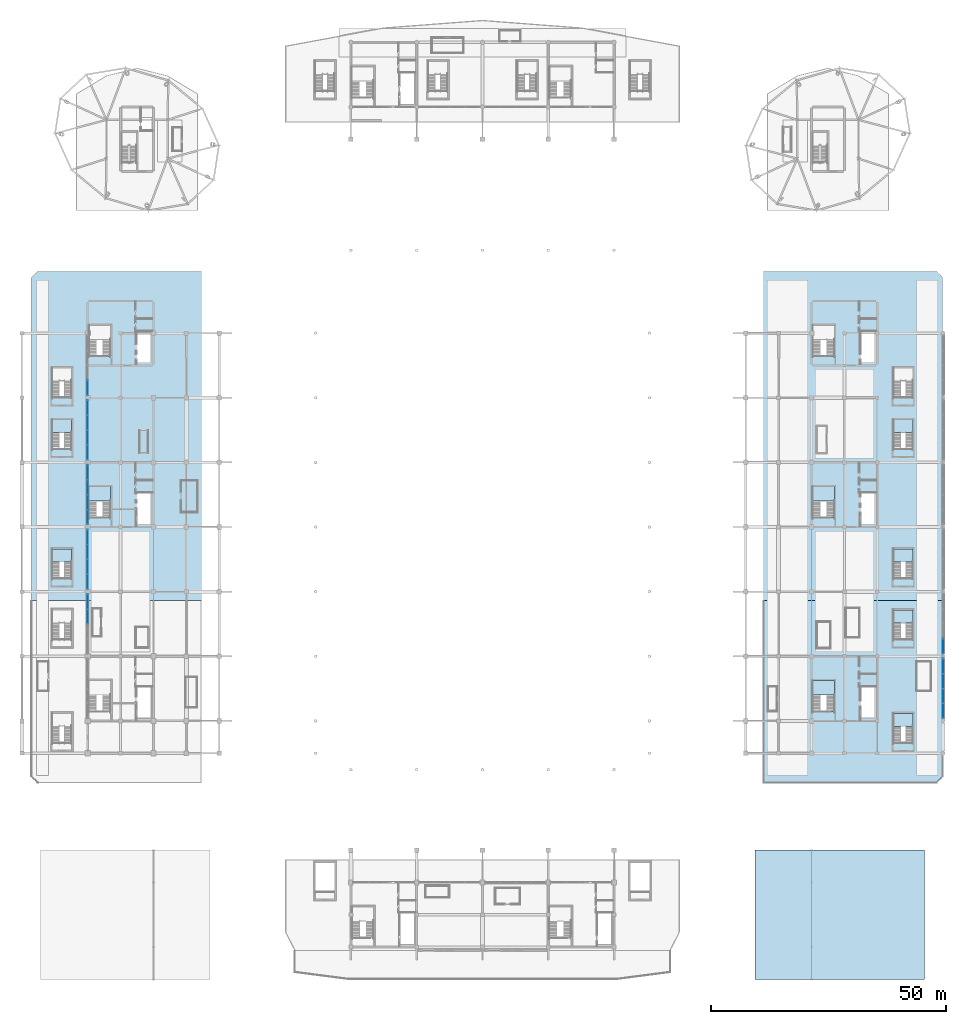
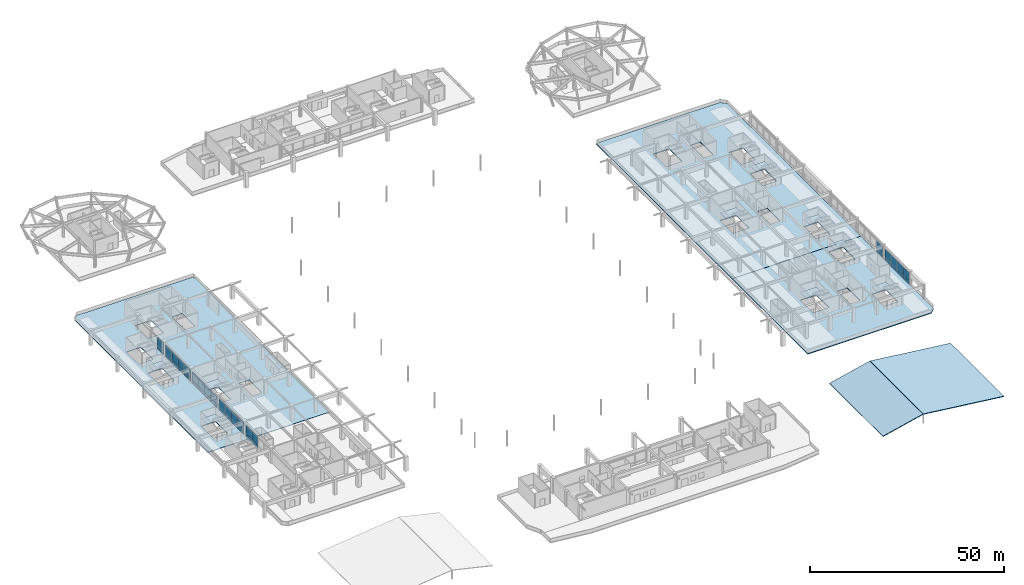
# One storey, part 50 of 91: 40 plates, 14 slabs, 16 elements without a shape of their own.
"""IFC4 building model written with IfcOpenShell, lengths in metres."""

from ifc_helpers import new_model, si_unit, direction, frame, origin, origin_2d, place, context, subcontext, project, spatial, polyline, rectangle, outline, extrude, material, layer, layer_set, type_object, element, aggregate, save


model = new_model("IFC4")

# Units and contexts
model_context = context("Model", 3, precision=1e-05, world=origin(), true_north=direction((0.0, 1.0)))
body_context = subcontext(model_context, "Body", "Model", "MODEL_VIEW")
ifc_project = project(units=[si_unit("LENGTHUNIT", "METRE"), si_unit("AREAUNIT", "SQUARE_METRE"), si_unit("VOLUMEUNIT", "CUBIC_METRE"), si_unit("PLANEANGLEUNIT", "RADIAN"), si_unit("MASSUNIT", "GRAM", prefix="KILO")], contexts=[model_context])

# Site, building, storey
site_placement = place(None, origin())
site = spatial("IfcSite", under=ifc_project, at=site_placement, CompositionType="ELEMENT")
building_placement = place(site_placement, origin())
building = spatial("IfcBuilding", under=site, at=building_placement, Name="Linyun Crest Stadium", CompositionType="ELEMENT")
storey_placement = place(building_placement, frame((0.0, 0.0, 11.39990234375)))
storey = spatial("IfcBuildingStorey", under=building, at=storey_placement, Name="L03", CompositionType="ELEMENT", Elevation=11.39990234375)

# Slabs
ifc_material_1 = material(Name="Concrete C40", Category="concrete")
ifc_layer_1 = layer(ifc_material_1, 0.199951171875)
ifc_layer_set_1 = layer_set([ifc_layer_1], Name="Concrete C40")
slab_type_1 = type_object("IfcSlabType", Name="FS02", PredefinedType="FLOOR", material=ifc_layer_set_1)
slab_1_placement = place(storey_placement, frame((0.0, 0.0, -0.199951171875)))
element("IfcSlab", 1, at=slab_1_placement, inside=storey, type_object=slab_type_1, Name="Slab FS02 V1 L03 7", PredefinedType="FLOOR", context=body_context, shape_type="SweptSolid", body=[
    extrude(outline(polyline([(-96.0, -13.489990234375), (-59.800048828125, -13.489990234375), (-59.800048828125, 56.5849609375), (-94.60009765625, 56.5849609375), (-96.0, 55.18505859375), (-96.0, -13.489990234375)]), holes=[polyline([(-83.800048828125, 4.14501953125), (-83.800048828125, 10.72509765625), (-79.10009765625, 10.72509765625), (-79.10009765625, 4.14501953125), (-83.800048828125, 4.14501953125)]), polyline([(-73.60009765625, 2.77490234375), (-73.60009765625, 9.375), (-70.60009765625, 9.375), (-70.60009765625, 2.77490234375), (-73.60009765625, 2.77490234375)]), polyline([(-83.77490234375, 38.52001953125), (-83.77490234375, 45.10009765625), (-79.10009765625, 45.10009765625), (-79.10009765625, 38.52001953125), (-83.77490234375, 38.52001953125)]), polyline([(-73.60009765625, 37.14990234375), (-73.60009765625, 43.75), (-70.60009765625, 43.75), (-70.60009765625, 37.14990234375), (-73.60009765625, 37.14990234375)]), polyline([(-91.60009765625, -8.75), (-91.60009765625, -2.5), (-87.39990234375, -2.5), (-87.39990234375, -8.75), (-91.60009765625, -8.75)]), polyline([(-91.60009765625, 18.75), (-91.60009765625, 25.0), (-87.39990234375, 25.0), (-87.39990234375, 18.75), (-91.60009765625, 18.75)]), polyline([(-91.60009765625, 29.75), (-91.60009765625, 36.0), (-87.39990234375, 36.0), (-87.39990234375, 29.75), (-91.60009765625, 29.75)])]), origin(), (0.0, 0.0, 1.0), 0.199951171875),
])
ifc_material_2 = material(Name="Concrete C40", Category="concrete")
ifc_layer_2 = layer(ifc_material_2, 0.25)
ifc_layer_set_2 = layer_set([ifc_layer_2], Name="Concrete C40")
slab_type_2 = type_object("IfcSlabType", Name="FS04", PredefinedType="FLOOR", material=ifc_layer_set_2)
slab_2_placement = place(storey_placement, frame((0.0, 0.0, -0.25)))
element("IfcSlab", 2, at=slab_2_placement, inside=storey, type_object=slab_type_2, Name="Slab FS04 V2 L03 22", PredefinedType="FLOOR", context=body_context, shape_type="SweptSolid", body=[
    extrude(outline(polyline([(59.800048828125, -52.3349609375), (96.60009765625, -52.3349609375), (98.0, -50.93505859375), (98.0, -13.510009765625), (59.800048828125, -13.510009765625), (59.800048828125, -52.3349609375)]), holes=[polyline([(70.175048828125, -37.10498046875), (70.175048828125, -30.52490234375), (74.89990234375, -30.52490234375), (74.89990234375, -37.10498046875), (70.175048828125, -37.10498046875)]), polyline([(80.39990234375, -38.47509765625), (80.39990234375, -31.875), (83.39990234375, -31.875), (83.39990234375, -38.47509765625), (80.39990234375, -38.47509765625)]), polyline([(87.39990234375, -43.75), (87.39990234375, -37.5), (91.60009765625, -37.5), (91.60009765625, -43.75), (87.39990234375, -43.75)]), polyline([(87.39990234375, -21.75), (87.39990234375, -15.5), (91.60009765625, -15.5), (91.60009765625, -21.75), (87.39990234375, -21.75)])]), origin(), (0.0, 0.0, 1.0), 0.25),
])
slab_3_placement = place(storey_placement, frame((0.0, 0.0, -0.25)))
element("IfcSlab", 3, at=slab_3_placement, inside=storey, type_object=slab_type_2, Name="Slab FS04 V2 L03 23", PredefinedType="FLOOR", context=body_context, shape_type="SweptSolid", body=[
    extrude(outline(polyline([(59.800048828125, -13.489990234375), (98.0, -13.489990234375), (98.0, 55.18505859375), (96.60009765625, 56.5849609375), (59.800048828125, 56.5849609375), (59.800048828125, -13.489990234375)]), holes=[polyline([(70.199951171875, 4.14501953125), (70.199951171875, 10.72509765625), (74.89990234375, 10.72509765625), (74.89990234375, 4.14501953125), (70.199951171875, 4.14501953125)]), polyline([(80.39990234375, 2.77490234375), (80.39990234375, 9.375), (83.39990234375, 9.375), (83.39990234375, 2.77490234375), (80.39990234375, 2.77490234375)]), polyline([(70.22509765625, 38.52001953125), (70.22509765625, 45.10009765625), (74.89990234375, 45.10009765625), (74.89990234375, 38.52001953125), (70.22509765625, 38.52001953125)]), polyline([(80.39990234375, 37.14990234375), (80.39990234375, 43.75), (83.39990234375, 43.75), (83.39990234375, 37.14990234375), (80.39990234375, 37.14990234375)]), polyline([(87.39990234375, -8.75), (87.39990234375, -2.5), (91.60009765625, -2.5), (91.60009765625, -8.75), (87.39990234375, -8.75)]), polyline([(87.39990234375, 18.75), (87.39990234375, 25.0), (91.60009765625, 25.0), (91.60009765625, 18.75), (87.39990234375, 18.75)]), polyline([(87.39990234375, 29.75), (87.39990234375, 36.0), (91.60009765625, 36.0), (91.60009765625, 29.75), (87.39990234375, 29.75)])]), origin(), (0.0, 0.0, 1.0), 0.25),
])

# Curtain wall, plates
ifc_material_3 = material(Name="Verdigris steel and low-E curtain wall assembly", Category="steel")
curtain_wall_type = type_object("IfcCurtainWallType", Name="MCW02", PredefinedType="NOTDEFINED", material=ifc_material_3)
curtain_wall_1_placement = place(storey_placement, origin())
curtain_wall_1 = element("IfcCurtainWall", 4, at=curtain_wall_1_placement, inside=storey, type_object=curtain_wall_type, Name="CWR-079", PredefinedType="NOTDEFINED")
ifc_material_4 = material(Name="Tempered solar-control low-E glass", Category="glass")
ifc_layer_3 = layer(ifc_material_4, 0.033935546875)
ifc_layer_set_3 = layer_set([ifc_layer_3], Name="Tempered solar-control low-E glass")
plate_type_1 = type_object("IfcPlateType", Name="GP03", PredefinedType="CURTAIN_PANEL", material=ifc_layer_set_3)
plate_1_placement = place(storey_placement, frame((98.0, -36.993896484375, 0.97509765625), z_axis=(0.0, 0.0, 1.0), x_axis=(0.0, 1.0, 0.0)))
plate_1 = element("IfcPlate", 5, at=plate_1_placement, type_object=plate_type_1, Name="CWR-079 panel 1.2", PredefinedType="CURTAIN_PANEL", context=body_context, shape_type="SweptSolid", body=[
    extrude(rectangle(XDim=3.112548828125, YDim=0.033935546875, at=origin_2d()), origin(), (0.0, 0.0, 1.0), 2.64990234375),
])
plate_2_placement = place(storey_placement, frame((98.0, -33.8310546875, 0.97509765625), z_axis=(0.0, 0.0, 1.0), x_axis=(0.0, 1.0, 0.0)))
plate_2 = element("IfcPlate", 6, at=plate_2_placement, type_object=plate_type_1, Name="CWR-079 panel 2.2", PredefinedType="CURTAIN_PANEL", context=body_context, shape_type="SweptSolid", body=[
    extrude(rectangle(XDim=3.112548828125, YDim=0.033935546875, at=origin_2d()), origin(), (0.0, 0.0, 1.0), 2.64990234375),
])
plate_3_placement = place(storey_placement, frame((98.0, -30.6689453125, 0.97509765625), z_axis=(0.0, 0.0, 1.0), x_axis=(0.0, 1.0, 0.0)))
plate_3 = element("IfcPlate", 7, at=plate_3_placement, type_object=plate_type_1, Name="CWR-079 panel 3.2", PredefinedType="CURTAIN_PANEL", context=body_context, shape_type="SweptSolid", body=[
    extrude(rectangle(XDim=3.112548828125, YDim=0.033935546875, at=origin_2d()), origin(), (0.0, 0.0, 1.0), 2.64990234375),
])
plate_4_placement = place(storey_placement, frame((98.0, -27.506103515625, 0.97509765625), z_axis=(0.0, 0.0, 1.0), x_axis=(0.0, 1.0, 0.0)))
plate_4 = element("IfcPlate", 8, at=plate_4_placement, type_object=plate_type_1, Name="CWR-079 panel 4.2", PredefinedType="CURTAIN_PANEL", context=body_context, shape_type="SweptSolid", body=[
    extrude(rectangle(XDim=3.112548828125, YDim=0.033935546875, at=origin_2d()), origin(), (0.0, 0.0, 1.0), 2.64990234375),
])

curtain_wall_2_placement = place(storey_placement, origin())
curtain_wall_2 = element("IfcCurtainWall", 9, at=curtain_wall_2_placement, inside=storey, type_object=curtain_wall_type, Name="CWR-083", PredefinedType="NOTDEFINED")
plate_5_placement = place(storey_placement, frame((-84.0, -16.9189453125, 0.97509765625), z_axis=(0.0, 0.0, 1.0), x_axis=(0.0, 1.0, 0.0)))
plate_5 = element("IfcPlate", 10, at=plate_5_placement, type_object=plate_type_1, Name="CWR-083 panel 3.2", PredefinedType="CURTAIN_PANEL", context=body_context, shape_type="SweptSolid", body=[
    extrude(rectangle(XDim=3.112548828125, YDim=0.033935546875, at=origin_2d()), origin(), (0.0, 0.0, 1.0), 2.64990234375),
])
plate_6_placement = place(storey_placement, frame((-84.0, -13.756103515625, 0.97509765625), z_axis=(0.0, 0.0, 1.0), x_axis=(0.0, 1.0, 0.0)))
plate_6 = element("IfcPlate", 11, at=plate_6_placement, type_object=plate_type_1, Name="CWR-083 panel 4.2", PredefinedType="CURTAIN_PANEL", context=body_context, shape_type="SweptSolid", body=[
    extrude(rectangle(XDim=3.112548828125, YDim=0.033935546875, at=origin_2d()), origin(), (0.0, 0.0, 1.0), 2.64990234375),
])

# Curtain wall, plate
curtain_wall_3_placement = place(storey_placement, origin())
curtain_wall_3 = element("IfcCurtainWall", 12, at=curtain_wall_3_placement, inside=storey, type_object=curtain_wall_type, Name="CWR-088", PredefinedType="NOTDEFINED")
plate_7_placement = place(storey_placement, frame((98.0, -23.243896484375, 0.97509765625), z_axis=(0.0, 0.0, 1.0), x_axis=(0.0, 1.0, 0.0)))
plate_7 = element("IfcPlate", 13, at=plate_7_placement, type_object=plate_type_1, Name="CWR-088 panel 1.2", PredefinedType="CURTAIN_PANEL", context=body_context, shape_type="SweptSolid", body=[
    extrude(rectangle(XDim=3.112548828125, YDim=0.033935546875, at=origin_2d()), origin(), (0.0, 0.0, 1.0), 2.64990234375),
])

# Curtain wall, plates
curtain_wall_4_placement = place(storey_placement, origin())
curtain_wall_4 = element("IfcCurtainWall", 14, at=curtain_wall_4_placement, inside=storey, type_object=curtain_wall_type, Name="CWR-092", PredefinedType="NOTDEFINED")
plate_8_placement = place(storey_placement, frame((-84.0, -9.493896484375, 0.97509765625), z_axis=(0.0, 0.0, 1.0), x_axis=(0.0, 1.0, 0.0)))
plate_8 = element("IfcPlate", 15, at=plate_8_placement, type_object=plate_type_1, Name="CWR-092 panel 1.2", PredefinedType="CURTAIN_PANEL", context=body_context, shape_type="SweptSolid", body=[
    extrude(rectangle(XDim=3.112548828125, YDim=0.033935546875, at=origin_2d()), origin(), (0.0, 0.0, 1.0), 2.64990234375),
])
plate_9_placement = place(storey_placement, frame((-84.0, -6.3310546875, 0.97509765625), z_axis=(0.0, 0.0, 1.0), x_axis=(0.0, 1.0, 0.0)))
plate_9 = element("IfcPlate", 16, at=plate_9_placement, type_object=plate_type_1, Name="CWR-092 panel 2.2", PredefinedType="CURTAIN_PANEL", context=body_context, shape_type="SweptSolid", body=[
    extrude(rectangle(XDim=3.112548828125, YDim=0.033935546875, at=origin_2d()), origin(), (0.0, 0.0, 1.0), 2.64990234375),
])
plate_10_placement = place(storey_placement, frame((-84.0, -3.1689453125, 0.97509765625), z_axis=(0.0, 0.0, 1.0), x_axis=(0.0, 1.0, 0.0)))
plate_10 = element("IfcPlate", 17, at=plate_10_placement, type_object=plate_type_1, Name="CWR-092 panel 3.2", PredefinedType="CURTAIN_PANEL", context=body_context, shape_type="SweptSolid", body=[
    extrude(rectangle(XDim=3.112548828125, YDim=0.033935546875, at=origin_2d()), origin(), (0.0, 0.0, 1.0), 2.64990234375),
])
plate_11_placement = place(storey_placement, frame((-84.0, -0.006103515625, 0.97509765625), z_axis=(0.0, 0.0, 1.0), x_axis=(0.0, 1.0, 0.0)))
plate_11 = element("IfcPlate", 18, at=plate_11_placement, type_object=plate_type_1, Name="CWR-092 panel 4.2", PredefinedType="CURTAIN_PANEL", context=body_context, shape_type="SweptSolid", body=[
    extrude(rectangle(XDim=3.112548828125, YDim=0.033935546875, at=origin_2d()), origin(), (0.0, 0.0, 1.0), 2.64990234375),
])

curtain_wall_5_placement = place(storey_placement, origin())
curtain_wall_5 = element("IfcCurtainWall", 19, at=curtain_wall_5_placement, inside=storey, type_object=curtain_wall_type, Name="CWR-101", PredefinedType="NOTDEFINED")
plate_12_placement = place(storey_placement, frame((-84.0, 4.256103515625, 0.97509765625), z_axis=(0.0, 0.0, 1.0), x_axis=(0.0, 1.0, 0.0)))
plate_12 = element("IfcPlate", 20, at=plate_12_placement, type_object=plate_type_1, Name="CWR-101 panel 1.2", PredefinedType="CURTAIN_PANEL", context=body_context, shape_type="SweptSolid", body=[
    extrude(rectangle(XDim=3.112548828125, YDim=0.033935546875, at=origin_2d()), origin(), (0.0, 0.0, 1.0), 2.64990234375),
])
plate_13_placement = place(storey_placement, frame((-84.0, 7.4189453125, 0.97509765625), z_axis=(0.0, 0.0, 1.0), x_axis=(0.0, 1.0, 0.0)))
plate_13 = element("IfcPlate", 21, at=plate_13_placement, type_object=plate_type_1, Name="CWR-101 panel 2.2", PredefinedType="CURTAIN_PANEL", context=body_context, shape_type="SweptSolid", body=[
    extrude(rectangle(XDim=3.112548828125, YDim=0.033935546875, at=origin_2d()), origin(), (0.0, 0.0, 1.0), 2.64990234375),
])
plate_14_placement = place(storey_placement, frame((-84.0, 10.5810546875, 0.97509765625), z_axis=(0.0, 0.0, 1.0), x_axis=(0.0, 1.0, 0.0)))
plate_14 = element("IfcPlate", 22, at=plate_14_placement, type_object=plate_type_1, Name="CWR-101 panel 3.2", PredefinedType="CURTAIN_PANEL", context=body_context, shape_type="SweptSolid", body=[
    extrude(rectangle(XDim=3.112548828125, YDim=0.033935546875, at=origin_2d()), origin(), (0.0, 0.0, 1.0), 2.64990234375),
])
plate_15_placement = place(storey_placement, frame((-84.0, 13.743896484375, 0.97509765625), z_axis=(0.0, 0.0, 1.0), x_axis=(0.0, 1.0, 0.0)))
plate_15 = element("IfcPlate", 23, at=plate_15_placement, type_object=plate_type_1, Name="CWR-101 panel 4.2", PredefinedType="CURTAIN_PANEL", context=body_context, shape_type="SweptSolid", body=[
    extrude(rectangle(XDim=3.112548828125, YDim=0.033935546875, at=origin_2d()), origin(), (0.0, 0.0, 1.0), 2.64990234375),
])

curtain_wall_6_placement = place(storey_placement, origin())
curtain_wall_6 = element("IfcCurtainWall", 24, at=curtain_wall_6_placement, inside=storey, type_object=curtain_wall_type, Name="CWR-110", PredefinedType="NOTDEFINED")
plate_16_placement = place(storey_placement, frame((-84.0, 18.006103515625, 0.97509765625), z_axis=(0.0, 0.0, 1.0), x_axis=(0.0, 1.0, 0.0)))
plate_16 = element("IfcPlate", 25, at=plate_16_placement, type_object=plate_type_1, Name="CWR-110 panel 1.2", PredefinedType="CURTAIN_PANEL", context=body_context, shape_type="SweptSolid", body=[
    extrude(rectangle(XDim=3.112548828125, YDim=0.033935546875, at=origin_2d()), origin(), (0.0, 0.0, 1.0), 2.64990234375),
])
plate_17_placement = place(storey_placement, frame((-84.0, 21.1689453125, 0.97509765625), z_axis=(0.0, 0.0, 1.0), x_axis=(0.0, 1.0, 0.0)))
plate_17 = element("IfcPlate", 26, at=plate_17_placement, type_object=plate_type_1, Name="CWR-110 panel 2.2", PredefinedType="CURTAIN_PANEL", context=body_context, shape_type="SweptSolid", body=[
    extrude(rectangle(XDim=3.112548828125, YDim=0.033935546875, at=origin_2d()), origin(), (0.0, 0.0, 1.0), 2.64990234375),
])
plate_18_placement = place(storey_placement, frame((-84.0, 24.3310546875, 0.97509765625), z_axis=(0.0, 0.0, 1.0), x_axis=(0.0, 1.0, 0.0)))
plate_18 = element("IfcPlate", 27, at=plate_18_placement, type_object=plate_type_1, Name="CWR-110 panel 3.2", PredefinedType="CURTAIN_PANEL", context=body_context, shape_type="SweptSolid", body=[
    extrude(rectangle(XDim=3.112548828125, YDim=0.033935546875, at=origin_2d()), origin(), (0.0, 0.0, 1.0), 2.64990234375),
])
plate_19_placement = place(storey_placement, frame((-84.0, 27.493896484375, 0.97509765625), z_axis=(0.0, 0.0, 1.0), x_axis=(0.0, 1.0, 0.0)))
plate_19 = element("IfcPlate", 28, at=plate_19_placement, type_object=plate_type_1, Name="CWR-110 panel 4.2", PredefinedType="CURTAIN_PANEL", context=body_context, shape_type="SweptSolid", body=[
    extrude(rectangle(XDim=3.112548828125, YDim=0.033935546875, at=origin_2d()), origin(), (0.0, 0.0, 1.0), 2.64990234375),
])

# Curtain wall, plate
curtain_wall_7_placement = place(storey_placement, origin())
curtain_wall_7 = element("IfcCurtainWall", 29, at=curtain_wall_7_placement, inside=storey, type_object=curtain_wall_type, Name="CWR-119", PredefinedType="NOTDEFINED")
plate_20_placement = place(storey_placement, frame((-84.0, 31.756103515625, 0.97509765625), z_axis=(0.0, 0.0, 1.0), x_axis=(0.0, 1.0, 0.0)))
plate_20 = element("IfcPlate", 30, at=plate_20_placement, type_object=plate_type_1, Name="CWR-119 panel 1.2", PredefinedType="CURTAIN_PANEL", context=body_context, shape_type="SweptSolid", body=[
    extrude(rectangle(XDim=3.112548828125, YDim=0.033935546875, at=origin_2d()), origin(), (0.0, 0.0, 1.0), 2.64990234375),
])

# Stair, slab
ifc_material_5 = material(Name="Concrete C40", Category="concrete")
stair_type = type_object("IfcStairType", Name="STA03", PredefinedType="HALF_TURN_STAIR", material=ifc_material_5)
stair_1_placement = place(storey_placement, origin())
stair_1 = element("IfcStair", 31, at=stair_1_placement, inside=storey, type_object=stair_type, Name="Evacuation stair STR-02-L03", PredefinedType="HALF_TURN_STAIR")
ifc_material_6 = material(Name="Concrete C40", Category="concrete")
ifc_layer_4 = layer(ifc_material_6, 0.179931640625)
ifc_layer_set_4 = layer_set([ifc_layer_4], Name="Concrete C40")
slab_type_3 = type_object("IfcSlabType", Name="LS01", PredefinedType="LANDING", material=ifc_layer_set_4)
slab_4_placement = place(storey_placement, frame((0.0, 0.0, 2.22021484375)))
slab_4 = element("IfcSlab", 32, at=slab_4_placement, type_object=slab_type_3, Name="STR-02-L03 half-landing", PredefinedType="LANDING", context=body_context, shape_type="SweptSolid", body=[
    extrude(outline(polyline([(-83.800048828125, 7.614990234375), (-79.10009765625, 7.614990234375), (-79.10009765625, 10.72509765625), (-83.800048828125, 10.72509765625), (-83.800048828125, 7.614990234375)])), origin(), (0.0, 0.0, 1.0), 0.179931640625),
])
aggregate(stair_1, [slab_4])

stair_2_placement = place(storey_placement, origin())
stair_2 = element("IfcStair", 33, at=stair_2_placement, inside=storey, type_object=stair_type, Name="Evacuation stair STR-04-L03", PredefinedType="HALF_TURN_STAIR")
slab_5_placement = place(storey_placement, frame((0.0, 0.0, 2.22021484375)))
slab_5 = element("IfcSlab", 34, at=slab_5_placement, type_object=slab_type_3, Name="STR-04-L03 half-landing", PredefinedType="LANDING", context=body_context, shape_type="SweptSolid", body=[
    extrude(outline(polyline([(70.175048828125, -33.635009765625), (74.89990234375, -33.635009765625), (74.89990234375, -30.52490234375), (70.175048828125, -30.52490234375), (70.175048828125, -33.635009765625)])), origin(), (0.0, 0.0, 1.0), 0.179931640625),
])
aggregate(stair_2, [slab_5])

stair_3_placement = place(storey_placement, origin())
stair_3 = element("IfcStair", 35, at=stair_3_placement, inside=storey, type_object=stair_type, Name="Evacuation stair STR-05-L03", PredefinedType="HALF_TURN_STAIR")
slab_6_placement = place(storey_placement, frame((0.0, 0.0, 2.22021484375)))
slab_6 = element("IfcSlab", 36, at=slab_6_placement, type_object=slab_type_3, Name="STR-05-L03 half-landing", PredefinedType="LANDING", context=body_context, shape_type="SweptSolid", body=[
    extrude(outline(polyline([(70.199951171875, 7.614990234375), (74.89990234375, 7.614990234375), (74.89990234375, 10.72509765625), (70.199951171875, 10.72509765625), (70.199951171875, 7.614990234375)])), origin(), (0.0, 0.0, 1.0), 0.179931640625),
])
aggregate(stair_3, [slab_6])

stair_4_placement = place(storey_placement, origin())
stair_4 = element("IfcStair", 37, at=stair_4_placement, inside=storey, type_object=stair_type, Name="Vomitory evacuation stair STR-15-L03", PredefinedType="HALF_TURN_STAIR")
slab_7_placement = place(storey_placement, frame((0.0, 0.0, 2.22021484375)))
slab_7 = element("IfcSlab", 38, at=slab_7_placement, type_object=slab_type_3, Name="STR-15-L03 half-landing", PredefinedType="LANDING", context=body_context, shape_type="SweptSolid", body=[
    extrude(outline(polyline([(-91.60009765625, -5.280029296875), (-87.39990234375, -5.280029296875), (-87.39990234375, -2.5), (-91.60009765625, -2.5), (-91.60009765625, -5.280029296875)])), origin(), (0.0, 0.0, 1.0), 0.179931640625),
])
aggregate(stair_4, [slab_7])

stair_5_placement = place(storey_placement, origin())
stair_5 = element("IfcStair", 39, at=stair_5_placement, inside=storey, type_object=stair_type, Name="Vomitory evacuation stair STR-16-L03", PredefinedType="HALF_TURN_STAIR")
slab_8_placement = place(storey_placement, frame((0.0, 0.0, 2.22021484375)))
slab_8 = element("IfcSlab", 40, at=slab_8_placement, type_object=slab_type_3, Name="STR-16-L03 half-landing", PredefinedType="LANDING", context=body_context, shape_type="SweptSolid", body=[
    extrude(outline(polyline([(-91.60009765625, 22.219970703125), (-87.39990234375, 22.219970703125), (-87.39990234375, 25.0), (-91.60009765625, 25.0), (-91.60009765625, 22.219970703125)])), origin(), (0.0, 0.0, 1.0), 0.179931640625),
])
aggregate(stair_5, [slab_8])

stair_6_placement = place(storey_placement, origin())
stair_6 = element("IfcStair", 41, at=stair_6_placement, inside=storey, type_object=stair_type, Name="Vomitory evacuation stair STR-18-L03", PredefinedType="HALF_TURN_STAIR")
slab_9_placement = place(storey_placement, frame((0.0, 0.0, 2.22021484375)))
slab_9 = element("IfcSlab", 42, at=slab_9_placement, type_object=slab_type_3, Name="STR-18-L03 half-landing", PredefinedType="LANDING", context=body_context, shape_type="SweptSolid", body=[
    extrude(outline(polyline([(87.39990234375, -40.280029296875), (91.60009765625, -40.280029296875), (91.60009765625, -37.5), (87.39990234375, -37.5), (87.39990234375, -40.280029296875)])), origin(), (0.0, 0.0, 1.0), 0.179931640625),
])
aggregate(stair_6, [slab_9])

stair_7_placement = place(storey_placement, origin())
stair_7 = element("IfcStair", 43, at=stair_7_placement, inside=storey, type_object=stair_type, Name="Vomitory evacuation stair STR-19-L03", PredefinedType="HALF_TURN_STAIR")
slab_10_placement = place(storey_placement, frame((0.0, 0.0, 2.22021484375)))
slab_10 = element("IfcSlab", 44, at=slab_10_placement, type_object=slab_type_3, Name="STR-19-L03 half-landing", PredefinedType="LANDING", context=body_context, shape_type="SweptSolid", body=[
    extrude(outline(polyline([(87.39990234375, -18.280029296875), (91.60009765625, -18.280029296875), (91.60009765625, -15.5), (87.39990234375, -15.5), (87.39990234375, -18.280029296875)])), origin(), (0.0, 0.0, 1.0), 0.179931640625),
])
aggregate(stair_7, [slab_10])

stair_8_placement = place(storey_placement, origin())
stair_8 = element("IfcStair", 45, at=stair_8_placement, inside=storey, type_object=stair_type, Name="Vomitory evacuation stair STR-20-L03", PredefinedType="HALF_TURN_STAIR")
slab_11_placement = place(storey_placement, frame((0.0, 0.0, 2.22021484375)))
slab_11 = element("IfcSlab", 46, at=slab_11_placement, type_object=slab_type_3, Name="STR-20-L03 half-landing", PredefinedType="LANDING", context=body_context, shape_type="SweptSolid", body=[
    extrude(outline(polyline([(87.39990234375, -5.280029296875), (91.60009765625, -5.280029296875), (91.60009765625, -2.5), (87.39990234375, -2.5), (87.39990234375, -5.280029296875)])), origin(), (0.0, 0.0, 1.0), 0.179931640625),
])
aggregate(stair_8, [slab_11])

stair_9_placement = place(storey_placement, origin())
stair_9 = element("IfcStair", 47, at=stair_9_placement, inside=storey, type_object=stair_type, Name="Vomitory evacuation stair STR-21-L03", PredefinedType="HALF_TURN_STAIR")
slab_12_placement = place(storey_placement, frame((0.0, 0.0, 2.22021484375)))
slab_12 = element("IfcSlab", 48, at=slab_12_placement, type_object=slab_type_3, Name="STR-21-L03 half-landing", PredefinedType="LANDING", context=body_context, shape_type="SweptSolid", body=[
    extrude(outline(polyline([(87.39990234375, 22.219970703125), (91.60009765625, 22.219970703125), (91.60009765625, 25.0), (87.39990234375, 25.0), (87.39990234375, 22.219970703125)])), origin(), (0.0, 0.0, 1.0), 0.179931640625),
])
aggregate(stair_9, [slab_12])

# Slabs
ifc_material_7 = material(Name="Concrete C40", Category="concrete")
ifc_layer_5 = layer(ifc_material_7, 0.205078125)
ifc_layer_set_5 = layer_set([ifc_layer_5], Name="Concrete C40")
slab_type_4 = type_object("IfcSlabType", Name="RS01", PredefinedType="ROOF", material=ifc_layer_set_5)
slab_13_placement = place(storey_placement, frame((58.0, -94.125, 0.0), z_axis=(-0.228042891661, 0.0, 0.973651087178), x_axis=(0.973651087178, 0.0, 0.228042891661)))
element("IfcSlab", 49, at=slab_13_placement, inside=storey, type_object=slab_type_4, Name="Sloped pavilion roof RS01 SE 1", PredefinedType="ROOF", context=body_context, shape_type="SweptSolid", body=[
    extrude(outline(polyline([(0.0, 0.0), (12.278606045261721, 0.0), (12.278606045261721, 27.5), (0.0, 27.5), (0.0, 0.0)])), origin(), (0.0, 0.0, -1.0), 0.205078125),
])
slab_14_placement = place(storey_placement, frame((70.044921875, -94.125, 2.800048828125), z_axis=(0.116097076489, 0.0, 0.993237871223), x_axis=(0.993237871223, 0.0, -0.116097076489)))
element("IfcSlab", 50, at=slab_14_placement, inside=storey, type_object=slab_type_4, Name="Sloped pavilion roof RS01 SE 2", PredefinedType="ROOF", context=body_context, shape_type="SweptSolid", body=[
    extrude(outline(polyline([(0.0, 0.0), (24.118168284816694, 0.0), (24.118168284816694, 27.5), (0.0, 27.5), (0.0, 0.0)])), origin(), (0.0, 0.0, -1.0), 0.205078125),
])

# Plate
ifc_material_8 = material(Name="Warm ochre glazed ceramic faience spandrel")
ifc_layer_6 = layer(ifc_material_8, 0.048095703125)
ifc_layer_set_6 = layer_set([ifc_layer_6], Name="Warm ochre glazed ceramic faience spandrel")
plate_type_2 = type_object("IfcPlateType", Name="SP02", PredefinedType="SHEET", material=ifc_layer_set_6)
plate_21_placement = place(storey_placement, frame((98.0, -36.993896484375, 0.025146484375), z_axis=(0.0, 0.0, 1.0), x_axis=(0.0, 1.0, 0.0)))
plate_21 = element("IfcPlate", 51, at=plate_21_placement, type_object=plate_type_2, Name="CWR-079 panel 1.1", PredefinedType="SHEET", context=body_context, shape_type="SweptSolid", body=[
    extrude(rectangle(XDim=3.112548828125, YDim=0.048095703125, at=origin_2d()), origin(), (0.0, 0.0, 1.0), 0.89990234375),
])

plate_22_placement = place(storey_placement, frame((98.0, -33.8310546875, 0.025146484375), z_axis=(0.0, 0.0, 1.0), x_axis=(0.0, 1.0, 0.0)))
plate_22 = element("IfcPlate", 52, at=plate_22_placement, type_object=plate_type_2, Name="CWR-079 panel 2.1", PredefinedType="SHEET", context=body_context, shape_type="SweptSolid", body=[
    extrude(rectangle(XDim=3.112548828125, YDim=0.048095703125, at=origin_2d()), origin(), (0.0, 0.0, 1.0), 0.89990234375),
])

plate_23_placement = place(storey_placement, frame((98.0, -30.6689453125, 0.025146484375), z_axis=(0.0, 0.0, 1.0), x_axis=(0.0, 1.0, 0.0)))
plate_23 = element("IfcPlate", 53, at=plate_23_placement, type_object=plate_type_2, Name="CWR-079 panel 3.1", PredefinedType="SHEET", context=body_context, shape_type="SweptSolid", body=[
    extrude(rectangle(XDim=3.112548828125, YDim=0.048095703125, at=origin_2d()), origin(), (0.0, 0.0, 1.0), 0.89990234375),
])

plate_24_placement = place(storey_placement, frame((98.0, -27.506103515625, 0.025146484375), z_axis=(0.0, 0.0, 1.0), x_axis=(0.0, 1.0, 0.0)))
plate_24 = element("IfcPlate", 54, at=plate_24_placement, type_object=plate_type_2, Name="CWR-079 panel 4.1", PredefinedType="SHEET", context=body_context, shape_type="SweptSolid", body=[
    extrude(rectangle(XDim=3.112548828125, YDim=0.048095703125, at=origin_2d()), origin(), (0.0, 0.0, 1.0), 0.89990234375),
])

aggregate(curtain_wall_1, [plate_21, plate_1, plate_22, plate_2, plate_23, plate_3, plate_24, plate_4])

plate_25_placement = place(storey_placement, frame((-84.0, -16.9189453125, 0.025146484375), z_axis=(0.0, 0.0, 1.0), x_axis=(0.0, 1.0, 0.0)))
plate_25 = element("IfcPlate", 55, at=plate_25_placement, type_object=plate_type_2, Name="CWR-083 panel 3.1", PredefinedType="SHEET", context=body_context, shape_type="SweptSolid", body=[
    extrude(rectangle(XDim=3.112548828125, YDim=0.048095703125, at=origin_2d()), origin(), (0.0, 0.0, 1.0), 0.89990234375),
])

plate_26_placement = place(storey_placement, frame((-84.0, -13.756103515625, 0.025146484375), z_axis=(0.0, 0.0, 1.0), x_axis=(0.0, 1.0, 0.0)))
plate_26 = element("IfcPlate", 56, at=plate_26_placement, type_object=plate_type_2, Name="CWR-083 panel 4.1", PredefinedType="SHEET", context=body_context, shape_type="SweptSolid", body=[
    extrude(rectangle(XDim=3.112548828125, YDim=0.048095703125, at=origin_2d()), origin(), (0.0, 0.0, 1.0), 0.89990234375),
])

aggregate(curtain_wall_2, [plate_25, plate_5, plate_26, plate_6])

plate_27_placement = place(storey_placement, frame((98.0, -23.243896484375, 0.025146484375), z_axis=(0.0, 0.0, 1.0), x_axis=(0.0, 1.0, 0.0)))
plate_27 = element("IfcPlate", 57, at=plate_27_placement, type_object=plate_type_2, Name="CWR-088 panel 1.1", PredefinedType="SHEET", context=body_context, shape_type="SweptSolid", body=[
    extrude(rectangle(XDim=3.112548828125, YDim=0.048095703125, at=origin_2d()), origin(), (0.0, 0.0, 1.0), 0.89990234375),
])

aggregate(curtain_wall_3, [plate_27, plate_7])

plate_28_placement = place(storey_placement, frame((-84.0, -9.493896484375, 0.025146484375), z_axis=(0.0, 0.0, 1.0), x_axis=(0.0, 1.0, 0.0)))
plate_28 = element("IfcPlate", 58, at=plate_28_placement, type_object=plate_type_2, Name="CWR-092 panel 1.1", PredefinedType="SHEET", context=body_context, shape_type="SweptSolid", body=[
    extrude(rectangle(XDim=3.112548828125, YDim=0.048095703125, at=origin_2d()), origin(), (0.0, 0.0, 1.0), 0.89990234375),
])

plate_29_placement = place(storey_placement, frame((-84.0, -6.3310546875, 0.025146484375), z_axis=(0.0, 0.0, 1.0), x_axis=(0.0, 1.0, 0.0)))
plate_29 = element("IfcPlate", 59, at=plate_29_placement, type_object=plate_type_2, Name="CWR-092 panel 2.1", PredefinedType="SHEET", context=body_context, shape_type="SweptSolid", body=[
    extrude(rectangle(XDim=3.112548828125, YDim=0.048095703125, at=origin_2d()), origin(), (0.0, 0.0, 1.0), 0.89990234375),
])

plate_30_placement = place(storey_placement, frame((-84.0, -3.1689453125, 0.025146484375), z_axis=(0.0, 0.0, 1.0), x_axis=(0.0, 1.0, 0.0)))
plate_30 = element("IfcPlate", 60, at=plate_30_placement, type_object=plate_type_2, Name="CWR-092 panel 3.1", PredefinedType="SHEET", context=body_context, shape_type="SweptSolid", body=[
    extrude(rectangle(XDim=3.112548828125, YDim=0.048095703125, at=origin_2d()), origin(), (0.0, 0.0, 1.0), 0.89990234375),
])

plate_31_placement = place(storey_placement, frame((-84.0, -0.006103515625, 0.025146484375), z_axis=(0.0, 0.0, 1.0), x_axis=(0.0, 1.0, 0.0)))
plate_31 = element("IfcPlate", 61, at=plate_31_placement, type_object=plate_type_2, Name="CWR-092 panel 4.1", PredefinedType="SHEET", context=body_context, shape_type="SweptSolid", body=[
    extrude(rectangle(XDim=3.112548828125, YDim=0.048095703125, at=origin_2d()), origin(), (0.0, 0.0, 1.0), 0.89990234375),
])

aggregate(curtain_wall_4, [plate_28, plate_8, plate_29, plate_9, plate_30, plate_10, plate_31, plate_11])

plate_32_placement = place(storey_placement, frame((-84.0, 4.256103515625, 0.025146484375), z_axis=(0.0, 0.0, 1.0), x_axis=(0.0, 1.0, 0.0)))
plate_32 = element("IfcPlate", 62, at=plate_32_placement, type_object=plate_type_2, Name="CWR-101 panel 1.1", PredefinedType="SHEET", context=body_context, shape_type="SweptSolid", body=[
    extrude(rectangle(XDim=3.112548828125, YDim=0.048095703125, at=origin_2d()), origin(), (0.0, 0.0, 1.0), 0.89990234375),
])

plate_33_placement = place(storey_placement, frame((-84.0, 7.4189453125, 0.025146484375), z_axis=(0.0, 0.0, 1.0), x_axis=(0.0, 1.0, 0.0)))
plate_33 = element("IfcPlate", 63, at=plate_33_placement, type_object=plate_type_2, Name="CWR-101 panel 2.1", PredefinedType="SHEET", context=body_context, shape_type="SweptSolid", body=[
    extrude(rectangle(XDim=3.112548828125, YDim=0.048095703125, at=origin_2d()), origin(), (0.0, 0.0, 1.0), 0.89990234375),
])

plate_34_placement = place(storey_placement, frame((-84.0, 10.5810546875, 0.025146484375), z_axis=(0.0, 0.0, 1.0), x_axis=(0.0, 1.0, 0.0)))
plate_34 = element("IfcPlate", 64, at=plate_34_placement, type_object=plate_type_2, Name="CWR-101 panel 3.1", PredefinedType="SHEET", context=body_context, shape_type="SweptSolid", body=[
    extrude(rectangle(XDim=3.112548828125, YDim=0.048095703125, at=origin_2d()), origin(), (0.0, 0.0, 1.0), 0.89990234375),
])

plate_35_placement = place(storey_placement, frame((-84.0, 13.743896484375, 0.025146484375), z_axis=(0.0, 0.0, 1.0), x_axis=(0.0, 1.0, 0.0)))
plate_35 = element("IfcPlate", 65, at=plate_35_placement, type_object=plate_type_2, Name="CWR-101 panel 4.1", PredefinedType="SHEET", context=body_context, shape_type="SweptSolid", body=[
    extrude(rectangle(XDim=3.112548828125, YDim=0.048095703125, at=origin_2d()), origin(), (0.0, 0.0, 1.0), 0.89990234375),
])

aggregate(curtain_wall_5, [plate_32, plate_12, plate_33, plate_13, plate_34, plate_14, plate_35, plate_15])

plate_36_placement = place(storey_placement, frame((-84.0, 18.006103515625, 0.025146484375), z_axis=(0.0, 0.0, 1.0), x_axis=(0.0, 1.0, 0.0)))
plate_36 = element("IfcPlate", 66, at=plate_36_placement, type_object=plate_type_2, Name="CWR-110 panel 1.1", PredefinedType="SHEET", context=body_context, shape_type="SweptSolid", body=[
    extrude(rectangle(XDim=3.112548828125, YDim=0.048095703125, at=origin_2d()), origin(), (0.0, 0.0, 1.0), 0.89990234375),
])

plate_37_placement = place(storey_placement, frame((-84.0, 21.1689453125, 0.025146484375), z_axis=(0.0, 0.0, 1.0), x_axis=(0.0, 1.0, 0.0)))
plate_37 = element("IfcPlate", 67, at=plate_37_placement, type_object=plate_type_2, Name="CWR-110 panel 2.1", PredefinedType="SHEET", context=body_context, shape_type="SweptSolid", body=[
    extrude(rectangle(XDim=3.112548828125, YDim=0.048095703125, at=origin_2d()), origin(), (0.0, 0.0, 1.0), 0.89990234375),
])

plate_38_placement = place(storey_placement, frame((-84.0, 24.3310546875, 0.025146484375), z_axis=(0.0, 0.0, 1.0), x_axis=(0.0, 1.0, 0.0)))
plate_38 = element("IfcPlate", 68, at=plate_38_placement, type_object=plate_type_2, Name="CWR-110 panel 3.1", PredefinedType="SHEET", context=body_context, shape_type="SweptSolid", body=[
    extrude(rectangle(XDim=3.112548828125, YDim=0.048095703125, at=origin_2d()), origin(), (0.0, 0.0, 1.0), 0.89990234375),
])

plate_39_placement = place(storey_placement, frame((-84.0, 27.493896484375, 0.025146484375), z_axis=(0.0, 0.0, 1.0), x_axis=(0.0, 1.0, 0.0)))
plate_39 = element("IfcPlate", 69, at=plate_39_placement, type_object=plate_type_2, Name="CWR-110 panel 4.1", PredefinedType="SHEET", context=body_context, shape_type="SweptSolid", body=[
    extrude(rectangle(XDim=3.112548828125, YDim=0.048095703125, at=origin_2d()), origin(), (0.0, 0.0, 1.0), 0.89990234375),
])

aggregate(curtain_wall_6, [plate_36, plate_16, plate_37, plate_17, plate_38, plate_18, plate_39, plate_19])

plate_40_placement = place(storey_placement, frame((-84.0, 31.756103515625, 0.025146484375), z_axis=(0.0, 0.0, 1.0), x_axis=(0.0, 1.0, 0.0)))
plate_40 = element("IfcPlate", 70, at=plate_40_placement, type_object=plate_type_2, Name="CWR-119 panel 1.1", PredefinedType="SHEET", context=body_context, shape_type="SweptSolid", body=[
    extrude(rectangle(XDim=3.112548828125, YDim=0.048095703125, at=origin_2d()), origin(), (0.0, 0.0, 1.0), 0.89990234375),
])

aggregate(curtain_wall_7, [plate_40, plate_20])

save(model, "model.ifc")
